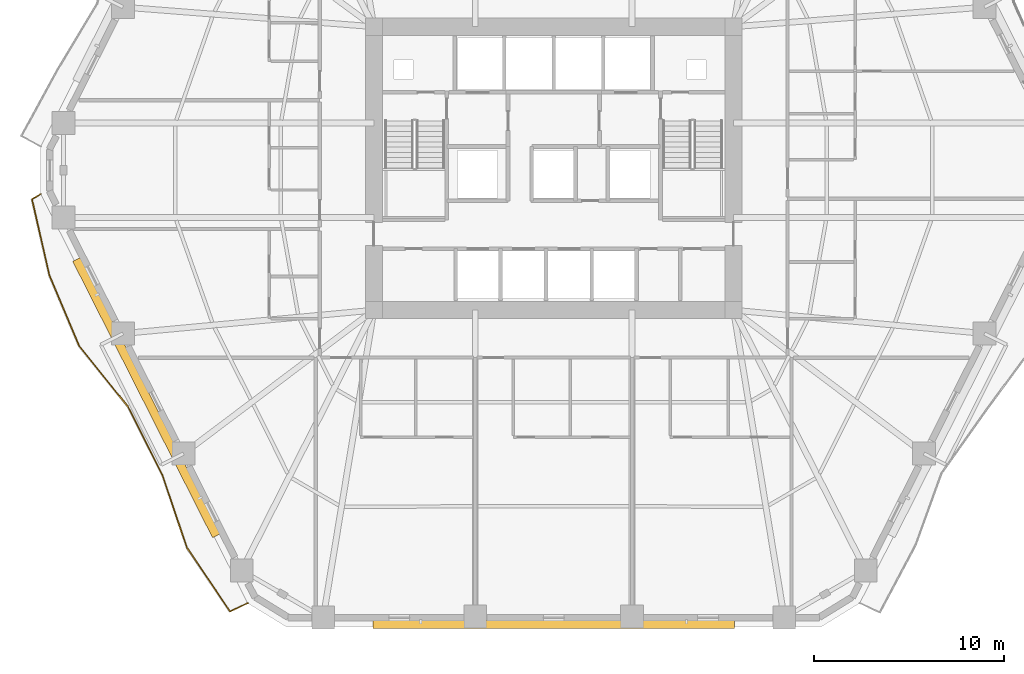
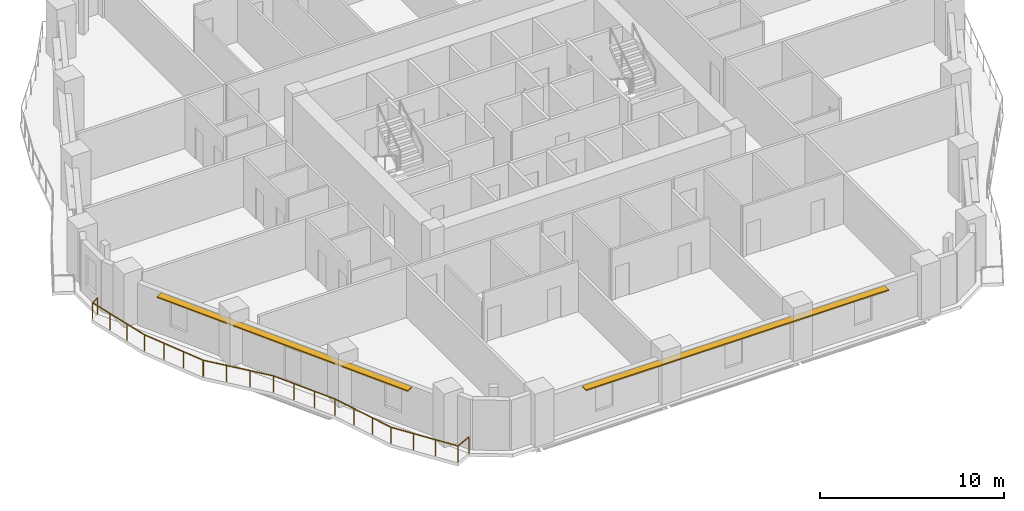
# One storey, part 11 of 14: 2 shading devices, 1 railing.
"""IFC4 building model written with IfcOpenShell, lengths in metres."""

from ifc_helpers import new_model, si_unit, direction, frame, origin, origin_2d, place, context, subcontext, project, spatial, rectangle, extrude, material, layer, layer_set, type_object, element, save


model = new_model("IFC4")

# Units and contexts
model_context = context("Model", 3, precision=1e-05, world=origin(), true_north=direction((0.0, 1.0)))
body_context = subcontext(model_context, "Body", "Model", "MODEL_VIEW")
ifc_project = project(units=[si_unit("LENGTHUNIT", "METRE"), si_unit("AREAUNIT", "SQUARE_METRE"), si_unit("VOLUMEUNIT", "CUBIC_METRE"), si_unit("PLANEANGLEUNIT", "RADIAN"), si_unit("MASSUNIT", "GRAM", prefix="KILO")], contexts=[model_context])

# Site, building, storey
site_placement = place(None, origin())
site = spatial("IfcSite", under=ifc_project, at=site_placement, CompositionType="ELEMENT")
building_placement = place(site_placement, origin())
building = spatial("IfcBuilding", under=site, at=building_placement, Name="Cinnabar Lancet Tower", CompositionType="ELEMENT")
storey_placement = place(building_placement, frame((0.0, 0.0, 39.10009765625)))
storey = spatial("IfcBuildingStorey", under=building, at=storey_placement, Name="L09", CompositionType="ELEMENT", Elevation=39.10009765625)

# Railing
ifc_material_1 = material(Name="Laminated safety glass and bronze stainless steel balustrade", Category="steel")
railing_type = type_object("IfcRailingType", Name="ENV-RLG-BAL-1100", PredefinedType="BALUSTRADE", material=ifc_material_1)
railing_placement = place(storey_placement, frame((5.431884765625, 24.551025390625, 0.0)))
element("IfcRailing", 1, at=railing_placement, inside=storey, type_object=railing_type, Name="L09 Face 6 Wave Balcony Balustrade", PredefinedType="BALUSTRADE", context=body_context, shape_type="SweptSolid", body=[
    extrude(rectangle(XDim=0.048095703125, YDim=0.048095703125, at=origin_2d()), frame((0.0, 0.0, 1.076171875), z_axis=(-0.866906303058, -0.498471124258, 0.0), x_axis=(0.498471124258, -0.866906303058, 0.0)), (0.0, 0.0, 1.0), 0.529541015625),
    extrude(rectangle(XDim=0.048095703125, YDim=0.048095703125, at=origin_2d()), frame((-0.458984375, -0.263916015625, 1.076171875), z_axis=(0.223131496683, -0.974788354048, 0.0), x_axis=(0.974788354048, 0.223131496683, 0.0)), (0.0, 0.0, 1.0), 4.128173828125),
    extrude(rectangle(XDim=0.048095703125, YDim=0.048095703125, at=origin_2d()), frame((0.462158203125, -4.2880859375, 1.076171875), z_axis=(0.38843199092, -0.921477394422, 0.0), x_axis=(0.921477394422, 0.38843199092, 0.0)), (0.0, 0.0, 1.0), 4.016357421875),
    extrude(rectangle(XDim=0.048095703125, YDim=0.048095703125, at=origin_2d()), frame((2.022216796875, -7.989013671875, 1.076171875), z_axis=(0.627729146803, -0.77843183276, 0.0), x_axis=(0.77843183276, 0.627729146803, 0.0)), (0.0, 0.0, 1.0), 4.095458984375),
    extrude(rectangle(XDim=0.048095703125, YDim=0.048095703125, at=origin_2d()), frame((4.593017578125, -11.177001953125, 1.076171875), z_axis=(0.449406558103, -0.893327345117, 0.0), x_axis=(0.893327345117, 0.449406558103, 0.0)), (0.0, 0.0, 1.0), 4.00537109375),
    extrude(rectangle(XDim=0.048095703125, YDim=0.048095703125, at=origin_2d()), frame((6.39306640625, -14.755126953125, 1.076171875), z_axis=(0.319897738358, -0.947452076357, 0.0), x_axis=(0.947452076357, 0.319897738358, 0.0)), (0.0, 0.0, 1.0), 4.048583984375),
    extrude(rectangle(XDim=0.048095703125, YDim=0.048095703125, at=origin_2d()), frame((7.688232421875, -18.591064453125, 1.076171875), z_axis=(0.559947123635, -0.82852834516, 0.0), x_axis=(0.82852834516, 0.559947123635, 0.0)), (0.0, 0.0, 1.0), 4.03955078125),
    extrude(rectangle(XDim=0.048095703125, YDim=0.048095703125, at=origin_2d()), frame((9.9501953125, -21.93798828125, 1.076171875), z_axis=(0.905410399821, 0.424537404589, 0.0), x_axis=(-0.424537404589, 0.905410399821, 0.0)), (0.0, 0.0, 1.0), 1.027099609375),
    extrude(rectangle(XDim=0.0419921875, YDim=0.0419921875, at=origin_2d()), origin(), (0.0, 0.0, 1.0), 1.052001953125),
    extrude(rectangle(XDim=0.0419921875, YDim=0.0419921875, at=origin_2d()), frame((-0.458984375, -0.263916015625, 0.0)), (0.0, 0.0, 1.0), 1.052001953125),
    extrude(rectangle(XDim=0.0419921875, YDim=0.0419921875, at=origin_2d()), frame((-0.15185546875, -1.605224609375, 0.0)), (0.0, 0.0, 1.0), 1.052001953125),
    extrude(rectangle(XDim=0.0419921875, YDim=0.0419921875, at=origin_2d()), frame((0.155029296875, -2.94677734375, 0.0)), (0.0, 0.0, 1.0), 1.052001953125),
    extrude(rectangle(XDim=0.0419921875, YDim=0.0419921875, at=origin_2d()), frame((0.462158203125, -4.2880859375, 0.0)), (0.0, 0.0, 1.0), 1.052001953125),
    extrude(rectangle(XDim=0.0419921875, YDim=0.0419921875, at=origin_2d()), frame((0.982177734375, -5.521728515625, 0.0)), (0.0, 0.0, 1.0), 1.052001953125),
    extrude(rectangle(XDim=0.0419921875, YDim=0.0419921875, at=origin_2d()), frame((1.502197265625, -6.75537109375, 0.0)), (0.0, 0.0, 1.0), 1.052001953125),
    extrude(rectangle(XDim=0.0419921875, YDim=0.0419921875, at=origin_2d()), frame((2.022216796875, -7.989013671875, 0.0)), (0.0, 0.0, 1.0), 1.052001953125),
    extrude(rectangle(XDim=0.0419921875, YDim=0.0419921875, at=origin_2d()), frame((2.879150390625, -9.0517578125, 0.0)), (0.0, 0.0, 1.0), 1.052001953125),
    extrude(rectangle(XDim=0.0419921875, YDim=0.0419921875, at=origin_2d()), frame((3.736083984375, -10.1142578125, 0.0)), (0.0, 0.0, 1.0), 1.052001953125),
    extrude(rectangle(XDim=0.0419921875, YDim=0.0419921875, at=origin_2d()), frame((4.593017578125, -11.177001953125, 0.0)), (0.0, 0.0, 1.0), 1.052001953125),
    extrude(rectangle(XDim=0.0419921875, YDim=0.0419921875, at=origin_2d()), frame((5.193115234375, -12.36962890625, 0.0)), (0.0, 0.0, 1.0), 1.052001953125),
    extrude(rectangle(XDim=0.0419921875, YDim=0.0419921875, at=origin_2d()), frame((5.79296875, -13.5625, 0.0)), (0.0, 0.0, 1.0), 1.052001953125),
    extrude(rectangle(XDim=0.0419921875, YDim=0.0419921875, at=origin_2d()), frame((6.39306640625, -14.755126953125, 0.0)), (0.0, 0.0, 1.0), 1.052001953125),
    extrude(rectangle(XDim=0.0419921875, YDim=0.0419921875, at=origin_2d()), frame((6.82470703125, -16.03369140625, 0.0)), (0.0, 0.0, 1.0), 1.052001953125),
    extrude(rectangle(XDim=0.0419921875, YDim=0.0419921875, at=origin_2d()), frame((7.256591796875, -17.3125, 0.0)), (0.0, 0.0, 1.0), 1.052001953125),
    extrude(rectangle(XDim=0.0419921875, YDim=0.0419921875, at=origin_2d()), frame((7.688232421875, -18.591064453125, 0.0)), (0.0, 0.0, 1.0), 1.052001953125),
    extrude(rectangle(XDim=0.0419921875, YDim=0.0419921875, at=origin_2d()), frame((8.442138671875, -19.706787109375, 0.0)), (0.0, 0.0, 1.0), 1.052001953125),
    extrude(rectangle(XDim=0.0419921875, YDim=0.0419921875, at=origin_2d()), frame((9.1962890625, -20.822265625, 0.0)), (0.0, 0.0, 1.0), 1.052001953125),
    extrude(rectangle(XDim=0.0419921875, YDim=0.0419921875, at=origin_2d()), frame((9.9501953125, -21.93798828125, 0.0)), (0.0, 0.0, 1.0), 1.052001953125),
    extrude(rectangle(XDim=0.0419921875, YDim=0.0419921875, at=origin_2d()), frame((10.880126953125, -21.501953125, 0.0)), (0.0, 0.0, 1.0), 1.052001953125),
])

# Shading devices
ifc_material_2 = material(Name="Pale limestone architectural aluminium sunshade", Category="masonry")
ifc_layer = layer(ifc_material_2, 0.080078125)
ifc_layer_set = layer_set([ifc_layer], Name="Pale limestone architectural aluminium sunshade")
shading_device_type = type_object("IfcShadingDeviceType", Name="ENV-SHD-LVR-450", PredefinedType="JALOUSIE", material=ifc_layer_set)
shading_device_1_placement = place(storey_placement, frame((32.39990234375, 1.929931640625, 2.639892578125), z_axis=(0.0, 0.0, 1.0), x_axis=(1.0, 0.0, 0.0)))
element("IfcShadingDevice", 2, at=shading_device_1_placement, inside=storey, type_object=shading_device_type, Name="L09 Face 1 Horizontal Sunshade Canopy", PredefinedType="JALOUSIE", context=body_context, shape_type="SweptSolid", body=[
    extrude(rectangle(XDim=18.993896484375, YDim=0.449951171875, at=origin_2d()), origin(), (0.0, 0.0, 1.0), 0.080078125),
])
shading_device_2_placement = place(storey_placement, frame((10.989990234375, 13.85595703125, 2.639892578125), z_axis=(0.0, 0.0, 1.0), x_axis=(0.451500573218, -0.892270829056, 0.0)))
element("IfcShadingDevice", 3, at=shading_device_2_placement, inside=storey, type_object=shading_device_type, Name="L09 Face 6 Horizontal Sunshade Canopy", PredefinedType="JALOUSIE", context=body_context, shape_type="SweptSolid", body=[
    extrude(rectangle(XDim=16.279052734375, YDim=0.449951171875, at=origin_2d()), origin(), (0.0, 0.0, 1.0), 0.080078125),
])

save(model, "model.ifc")
